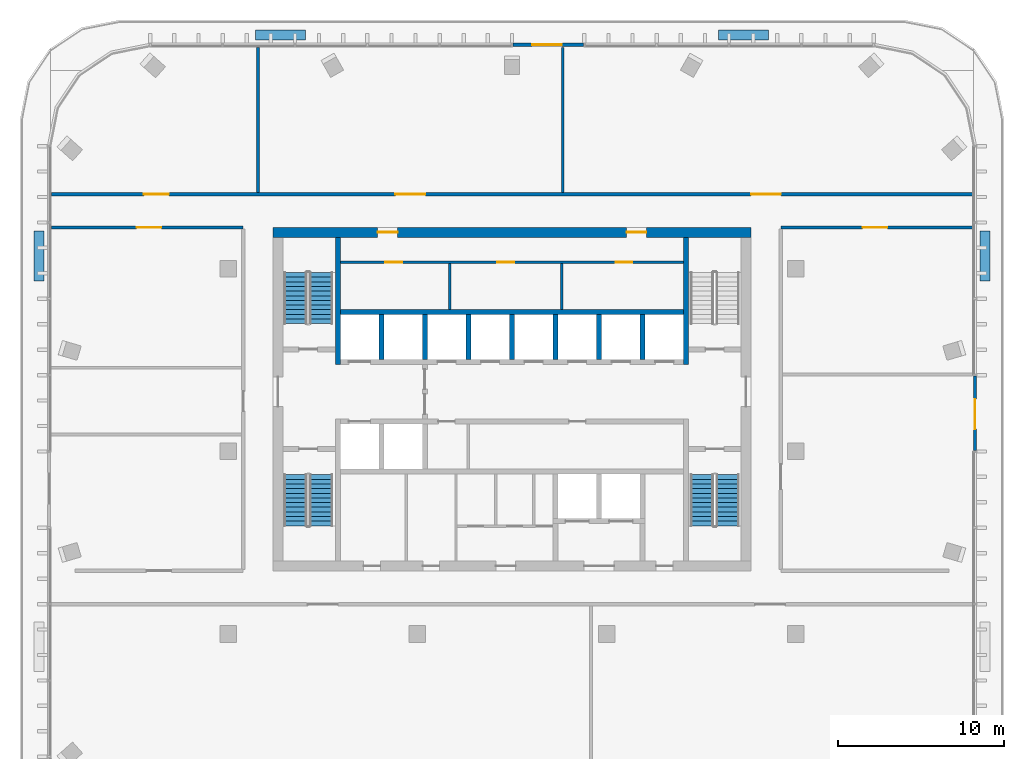
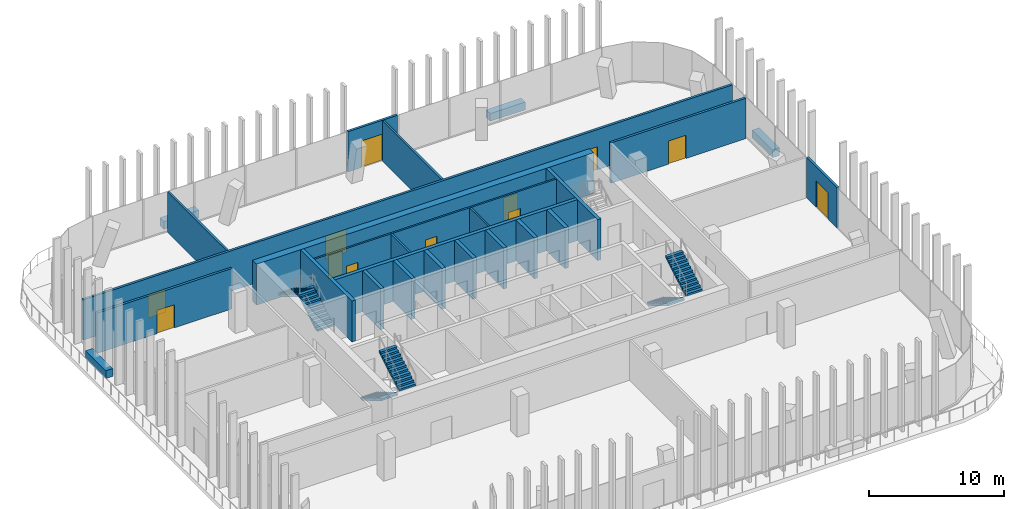
# One storey, part 9 of 16: 25 walls, 12 doors, 6 stair flights, 12 openings, 3 elements without a shape of their own.
"""IFC4 building model written with IfcOpenShell, lengths in metres."""

from ifc_helpers import new_model, si_unit, direction, frame, frame_2d, origin, place, context, subcontext, project, spatial, polyline, rectangle, outline, extrude, material, layer, layer_set, type_object, element, fill, aggregate, save


model = new_model("IFC4")

# Units and contexts
model_context = context("Model", 3, precision=1e-05, world=origin(), true_north=direction((0.0, 1.0)))
body_context = subcontext(model_context, "Body", "Model", "MODEL_VIEW")
ifc_project = project(units=[si_unit("LENGTHUNIT", "METRE"), si_unit("AREAUNIT", "SQUARE_METRE"), si_unit("VOLUMEUNIT", "CUBIC_METRE"), si_unit("PLANEANGLEUNIT", "RADIAN"), si_unit("MASSUNIT", "GRAM", prefix="KILO")], contexts=[model_context])

# Site, building, storey
site_placement = place(None, origin())
site = spatial("IfcSite", under=ifc_project, at=site_placement, CompositionType="ELEMENT")
building_placement = place(site_placement, origin())
building = spatial("IfcBuilding", under=site, at=building_placement, Name="Mopane Tessera Tower", CompositionType="ELEMENT")
storey_placement = place(building_placement, frame((0.0, 0.0, 321.39990234375)))
storey = spatial("IfcBuildingStorey", under=building, at=storey_placement, Name="L70", CompositionType="ELEMENT", Elevation=321.39990234375)

# Walls
ifc_material_1 = material(Name="Fire-rated gypsum board partition")
ifc_layer_1 = layer(ifc_material_1, 0.14990234375)
ifc_layer_set_1 = layer_set([ifc_layer_1], Name="Fire-rated gypsum board partition")
wall_type_1 = type_object("IfcWallType", Name="Core room partition 150 mm", PredefinedType="PARTITIONING", material=ifc_layer_set_1)
for number, where, z_axis, x_axis, name in (
    (1, (-3.75, 8.550048828125, 0.0), (0.0, 0.0, 1.0), (0.0, 1.0, 0.0), "L70 Room partition"),
    (2, (3.0, 8.550048828125, 0.0), (0.0, 0.0, 1.0), (0.0, 1.0, 0.0), "L70 Room partition"),
):
    element("IfcWall", number, at=place(storey_placement, frame(where, z_axis=z_axis, x_axis=x_axis)), inside=storey, type_object=wall_type_1, Name=name, PredefinedType="PARTITIONING", context=body_context, shape_type="SweptSolid", body=[
        extrude(rectangle(XDim=2.77490234375, YDim=0.14990234375, at=frame_2d((1.387451171875, 0.0))), origin(), (0.0, 0.0, 1.0), 3.7001953125),
    ])

# Wall, openings, doors
wall_1_placement = place(storey_placement, frame((-10.35009765625, 11.39990234375, 0.0), z_axis=(0.0, 0.0, 1.0), x_axis=(1.0, 0.0, 0.0)))
wall_1 = element("IfcWall", 3, at=wall_1_placement, inside=storey, type_object=wall_type_1, Name="L70 Corridor wall", PredefinedType="PARTITIONING", context=body_context, shape_type="SweptSolid", body=[
    extrude(rectangle(XDim=20.7001953125, YDim=0.14990234375, at=frame_2d((10.35009765625, 0.0))), origin(), (0.0, 0.0, 1.0), 3.7001953125),
])
opening_1_placement = place(wall_1_placement, frame((2.72509765625, 0.0, 0.0)))
opening_1 = element("IfcOpeningElement", 4, at=opening_1_placement, cuts=wall_1, Name="Opening RD1", PredefinedType="OPENING", context=body_context, shape_type="SweptSolid", body=[
    extrude(rectangle(XDim=1.0, YDim=2.10009765625, at=frame_2d((0.5, 1.050048828125))), frame((0.0, 0.0869140625, 0.0), z_axis=(0.0, -1.0, 0.0), x_axis=(1.0, 0.0, 0.0)), (0.0, 0.0, 1.0), 0.173828125),
])
opening_2_placement = place(wall_1_placement, frame((9.47509765625, 0.0, 0.0)))
opening_2 = element("IfcOpeningElement", 5, at=opening_2_placement, cuts=wall_1, Name="Opening RD1", PredefinedType="OPENING", context=body_context, shape_type="SweptSolid", body=[
    extrude(rectangle(XDim=1.0, YDim=2.10009765625, at=frame_2d((0.5, 1.050048828125))), frame((0.0, 0.0869140625, 0.0), z_axis=(0.0, -1.0, 0.0), x_axis=(1.0, 0.0, 0.0)), (0.0, 0.0, 1.0), 0.173828125),
])
opening_3_placement = place(wall_1_placement, frame((16.60009765625, 0.0, 0.0)))
opening_3 = element("IfcOpeningElement", 6, at=opening_3_placement, cuts=wall_1, Name="Opening RD1", PredefinedType="OPENING", context=body_context, shape_type="SweptSolid", body=[
    extrude(rectangle(XDim=1.0, YDim=2.10009765625, at=frame_2d((0.5, 1.050048828125))), frame((0.0, 0.0869140625, 0.0), z_axis=(0.0, -1.0, 0.0), x_axis=(1.0, 0.0, 0.0)), (0.0, 0.0, 1.0), 0.173828125),
])
ifc_material_2 = material(Name="Timber door", Category="wood")
door_type_1 = type_object("IfcDoorType", Name="Core room door 1000 x 2100", OperationType="SINGLE_SWING_LEFT", PredefinedType="DOOR", material=ifc_material_2)
door_1_placement = place(opening_1_placement, origin())
door_1 = element("IfcDoor", 7, at=door_1_placement, inside=storey, type_object=door_type_1, Name="L70 Room door", OperationType="SINGLE_SWING_LEFT", OverallHeight=2.10009765625, OverallWidth=1.0, PredefinedType="DOOR", context=body_context, shape_type="SweptSolid", body=[
    extrude(rectangle(XDim=1.0, YDim=2.10009765625, at=frame_2d((0.5, 1.050048828125))), frame((0.0, 0.02490234375, 0.0), z_axis=(0.0, -1.0, 0.0), x_axis=(1.0, 0.0, 0.0)), (0.0, 0.0, 1.0), 0.050048828125),
])
fill(opening_1, door_1)
door_2_placement = place(opening_2_placement, origin())
door_2 = element("IfcDoor", 8, at=door_2_placement, inside=storey, type_object=door_type_1, Name="L70 Room door", OperationType="SINGLE_SWING_LEFT", OverallHeight=2.10009765625, OverallWidth=1.0, PredefinedType="DOOR", context=body_context, shape_type="SweptSolid", body=[
    extrude(rectangle(XDim=1.0, YDim=2.10009765625, at=frame_2d((0.5, 1.050048828125))), frame((0.0, 0.02490234375, 0.0), z_axis=(0.0, -1.0, 0.0), x_axis=(1.0, 0.0, 0.0)), (0.0, 0.0, 1.0), 0.050048828125),
])
fill(opening_2, door_2)
door_3_placement = place(opening_3_placement, origin())
door_3 = element("IfcDoor", 9, at=door_3_placement, inside=storey, type_object=door_type_1, Name="L70 Room door", OperationType="SINGLE_SWING_LEFT", OverallHeight=2.10009765625, OverallWidth=1.0, PredefinedType="DOOR", context=body_context, shape_type="SweptSolid", body=[
    extrude(rectangle(XDim=1.0, YDim=2.10009765625, at=frame_2d((0.5, 1.050048828125))), frame((0.0, 0.02490234375, 0.0), z_axis=(0.0, -1.0, 0.0), x_axis=(1.0, 0.0, 0.0)), (0.0, 0.0, 1.0), 0.050048828125),
])
fill(opening_3, door_3)

ifc_material_3 = material(Name="Concrete C70/85", Category="concrete")
ifc_layer_2 = layer(ifc_material_3, 0.60009765625)
ifc_layer_set_2 = layer_set([ifc_layer_2], Name="Concrete C70/85")
wall_type_2 = type_object("IfcWallType", Name="Core shear wall 600 mm", PredefinedType="SHEAR", material=ifc_layer_set_2)
wall_2_placement = place(storey_placement, frame((-14.39990234375, 13.199951171875, 0.0), z_axis=(0.0, 0.0, 1.0), x_axis=(1.0, 0.0, 0.0)))
wall_2 = element("IfcWall", 10, at=wall_2_placement, inside=storey, type_object=wall_type_2, Name="L70 Core wall north", PredefinedType="SHEAR", context=body_context, shape_type="SweptSolid", body=[
    extrude(rectangle(XDim=28.7998046875, YDim=0.60009765625, at=frame_2d((14.39990234375, 0.0))), origin(), (0.0, 0.0, 1.0), 3.7001953125),
])
opening_4_placement = place(wall_2_placement, frame((6.300048828125, 0.0, 0.0)))
opening_4 = element("IfcOpeningElement", 11, at=opening_4_placement, cuts=wall_2, Name="Opening RD2", PredefinedType="OPENING", context=body_context, shape_type="SweptSolid", body=[
    extrude(rectangle(XDim=1.199951171875, YDim=2.10009765625, at=frame_2d((0.60009765625, 1.050048828125))), frame((0.0, 0.31201171875, 0.0), z_axis=(0.0, -1.0, 0.0), x_axis=(1.0, 0.0, 0.0)), (0.0, 0.0, 1.0), 0.6240234375),
])
opening_5_placement = place(wall_2_placement, frame((21.300048828125, 0.0, 0.0)))
opening_5 = element("IfcOpeningElement", 12, at=opening_5_placement, cuts=wall_2, Name="Opening RD2", PredefinedType="OPENING", context=body_context, shape_type="SweptSolid", body=[
    extrude(rectangle(XDim=1.199951171875, YDim=2.10009765625, at=frame_2d((0.60009765625, 1.050048828125))), frame((0.0, 0.31201171875, 0.0), z_axis=(0.0, -1.0, 0.0), x_axis=(1.0, 0.0, 0.0)), (0.0, 0.0, 1.0), 0.6240234375),
])
ifc_material_4 = material(Name="Timber door", Category="wood")
door_type_2 = type_object("IfcDoorType", Name="Core corridor door 1200 x 2100", OperationType="SINGLE_SWING_LEFT", PredefinedType="DOOR", material=ifc_material_4)
door_4_placement = place(opening_4_placement, origin())
door_4 = element("IfcDoor", 13, at=door_4_placement, inside=storey, type_object=door_type_2, Name="L70 Corridor door", OperationType="SINGLE_SWING_LEFT", OverallHeight=2.10009765625, OverallWidth=1.199951171875, PredefinedType="DOOR", context=body_context, shape_type="SweptSolid", body=[
    extrude(rectangle(XDim=1.199951171875, YDim=2.10009765625, at=frame_2d((0.60009765625, 1.050048828125))), frame((0.0, 0.02490234375, 0.0), z_axis=(0.0, -1.0, 0.0), x_axis=(1.0, 0.0, 0.0)), (0.0, 0.0, 1.0), 0.050048828125),
])
fill(opening_4, door_4)
door_5_placement = place(opening_5_placement, origin())
door_5 = element("IfcDoor", 14, at=door_5_placement, inside=storey, type_object=door_type_2, Name="L70 Corridor door", OperationType="SINGLE_SWING_RIGHT", OverallHeight=2.10009765625, OverallWidth=1.199951171875, PredefinedType="DOOR", context=body_context, shape_type="SweptSolid", body=[
    extrude(rectangle(XDim=1.199951171875, YDim=2.10009765625, at=frame_2d((0.60009765625, 1.050048828125))), frame((0.0, 0.02490234375, 0.0), z_axis=(0.0, -1.0, 0.0), x_axis=(1.0, 0.0, 0.0)), (0.0, 0.0, 1.0), 0.050048828125),
])
fill(opening_5, door_5)

# Walls
ifc_material_5 = material(Name="Concrete C60/75", Category="concrete")
ifc_layer_3 = layer(ifc_material_5, 0.300048828125)
ifc_layer_set_3 = layer_set([ifc_layer_3], Name="Concrete C60/75")
wall_type_3 = type_object("IfcWallType", Name="Core spine wall 300 mm", PredefinedType="SHEAR", material=ifc_layer_set_3)
for number, where, z_axis, x_axis, name in (
    (15, (-10.5, 5.25, 0.0), (0.0, 0.0, 1.0), (0.0, 1.0, 0.0), "L70 Core spine wall"),
    (16, (10.5, 5.25, 0.0), (0.0, 0.0, 1.0), (0.0, 1.0, 0.0), "L70 Core spine wall"),
):
    element("IfcWall", number, at=place(storey_placement, frame(where, z_axis=z_axis, x_axis=x_axis)), inside=storey, type_object=wall_type_3, Name=name, PredefinedType="SHEAR", context=body_context, shape_type="SweptSolid", body=[
        extrude(rectangle(XDim=7.64990234375, YDim=0.300048828125, at=frame_2d((3.824951171875, 0.0))), origin(), (0.0, 0.0, 1.0), 3.7001953125),
    ])
ifc_material_6 = material(Name="Gypsum board on staggered steel studs, double layer each face, acoustic mineral wool infill", Category="steel")
ifc_layer_4 = layer(ifc_material_6, 0.175048828125)
ifc_layer_set_4 = layer_set([ifc_layer_4], Name="Gypsum board on staggered steel studs, double layer each face, acoustic mineral wool infill")
wall_type_4 = type_object("IfcWallType", Name="Gypsum board acoustic partition 175, rated EI 60", PredefinedType="PARTITIONING", material=ifc_layer_set_4)
for number, where, z_axis, x_axis, name in (
    (17, (-15.304931640625, 15.60009765625, 0.0), (0.0, 0.0, 1.0), (0.0, 1.0, 0.0), "Partition L70:010"),
    (18, (3.06005859375, 15.60009765625, 0.0), (0.0, 0.0, 1.0), (0.0, 1.0, 0.0), "Partition L70:011"),
):
    element("IfcWall", number, at=place(storey_placement, frame(where, z_axis=z_axis, x_axis=x_axis)), inside=storey, type_object=wall_type_4, Name=name, PredefinedType="PARTITIONING", context=body_context, shape_type="SweptSolid", body=[
        extrude(rectangle(XDim=8.75, YDim=0.175048828125, at=frame_2d((4.375, 0.0))), origin(), (0.0, 0.0, 1.0), 3.650146484375),
    ])

# Wall, opening, door
ifc_material_7 = material(Name="Gypsum board on steel studs, two layers each face, mineral wool infill", Category="steel")
ifc_layer_5 = layer(ifc_material_7, 0.199951171875)
ifc_layer_set_5 = layer_set([ifc_layer_5], Name="Gypsum board on steel studs, two layers each face, mineral wool infill")
wall_type_5 = type_object("IfcWallType", Name="Gypsum board corridor wall 200, rated EI 60", PredefinedType="PARTITIONING", material=ifc_layer_set_5)
wall_3_placement = place(storey_placement, frame((-27.75, 13.5, 0.0), z_axis=(0.0, 0.0, 1.0), x_axis=(1.0, 0.0, 0.0)))
wall_3 = element("IfcWall", 19, at=wall_3_placement, inside=storey, type_object=wall_type_5, Name="Partition L70:006", PredefinedType="PARTITIONING", context=body_context, shape_type="SweptSolid", body=[
    extrude(rectangle(XDim=11.550048828125, YDim=0.199951171875, at=frame_2d((5.77490234375, 0.0))), origin(), (0.0, 0.0, 1.0), 3.650146484375),
])
opening_6_placement = place(wall_3_placement, frame((5.125, 0.0, 0.0)))
opening_6 = element("IfcOpeningElement", 20, at=opening_6_placement, cuts=wall_3, Name="Opening L70-02", PredefinedType="OPENING", context=body_context, shape_type="SweptSolid", body=[
    extrude(rectangle(XDim=1.5, YDim=2.10009765625, at=frame_2d((0.75, 1.050048828125))), frame((0.0, 0.112060546875, 0.0), z_axis=(0.0, -1.0, 0.0), x_axis=(1.0, 0.0, 0.0)), (0.0, 0.0, 1.0), 0.223876953125),
])
ifc_material_8 = material(Name="Timber veneered steel-framed fire door", Category="steel")
door_type_3 = type_object("IfcDoorType", Name="Fire door pair FD60 1500 x 2100", OperationType="DOUBLE_DOOR_SINGLE_SWING", PredefinedType="DOOR", material=ifc_material_8)
door_6_placement = place(opening_6_placement, origin())
door_6 = element("IfcDoor", 21, at=door_6_placement, inside=storey, type_object=door_type_3, Name="Door L70-02", ObjectType="D17A", OperationType="DOUBLE_DOOR_SINGLE_SWING", OverallHeight=2.10009765625, OverallWidth=1.5, PredefinedType="DOOR", context=body_context, shape_type="SweptSolid", body=[
    extrude(rectangle(XDim=1.5, YDim=2.10009765625, at=frame_2d((0.75, 1.050048828125))), frame((0.0, 0.02490234375, 0.0), z_axis=(0.0, -1.0, 0.0), x_axis=(1.0, 0.0, 0.0)), (0.0, 0.0, 1.0), 0.050048828125),
])
fill(opening_6, door_6)

wall_4_placement = place(storey_placement, frame((16.199951171875, 13.5, 0.0), z_axis=(0.0, 0.0, 1.0), x_axis=(1.0, 0.0, 0.0)))
wall_4 = element("IfcWall", 22, at=wall_4_placement, inside=storey, type_object=wall_type_5, Name="Partition L70:007", PredefinedType="PARTITIONING", context=body_context, shape_type="SweptSolid", body=[
    extrude(rectangle(XDim=11.550048828125, YDim=0.199951171875, at=frame_2d((5.77490234375, 0.0))), origin(), (0.0, 0.0, 1.0), 3.650146484375),
])
opening_7_placement = place(wall_4_placement, frame((4.925048828125, 0.0, 0.0)))
opening_7 = element("IfcOpeningElement", 23, at=opening_7_placement, cuts=wall_4, Name="Opening L70-10", PredefinedType="OPENING", context=body_context, shape_type="SweptSolid", body=[
    extrude(rectangle(XDim=1.5, YDim=2.10009765625, at=frame_2d((0.75, 1.050048828125))), frame((0.0, 0.112060546875, 0.0), z_axis=(0.0, -1.0, 0.0), x_axis=(1.0, 0.0, 0.0)), (0.0, 0.0, 1.0), 0.223876953125),
])
door_7_placement = place(opening_7_placement, origin())
door_7 = element("IfcDoor", 24, at=door_7_placement, inside=storey, type_object=door_type_3, Name="Door L70-10", ObjectType="D17A", OperationType="DOUBLE_DOOR_SINGLE_SWING", OverallHeight=2.10009765625, OverallWidth=1.5, PredefinedType="DOOR", context=body_context, shape_type="SweptSolid", body=[
    extrude(rectangle(XDim=1.5, YDim=2.10009765625, at=frame_2d((0.75, 1.050048828125))), frame((0.0, 0.02490234375, 0.0), z_axis=(0.0, -1.0, 0.0), x_axis=(1.0, 0.0, 0.0)), (0.0, 0.0, 1.0), 0.050048828125),
])
fill(opening_7, door_7)

# Wall, openings, doors
wall_5_placement = place(storey_placement, frame((-27.75, 15.5, 0.0), z_axis=(0.0, 0.0, 1.0), x_axis=(1.0, 0.0, 0.0)))
wall_5 = element("IfcWall", 25, at=wall_5_placement, inside=storey, type_object=wall_type_5, Name="Partition L70:008", PredefinedType="PARTITIONING", context=body_context, shape_type="SweptSolid", body=[
    extrude(rectangle(XDim=55.5, YDim=0.199951171875, at=frame_2d((27.75, 0.0))), origin(), (0.0, 0.0, 1.0), 3.650146484375),
])
opening_8_placement = place(wall_5_placement, frame((42.155029296875, 0.0, 0.0)))
opening_8 = element("IfcOpeningElement", 26, at=opening_8_placement, cuts=wall_5, Name="Opening L70-01", PredefinedType="OPENING", context=body_context, shape_type="SweptSolid", body=[
    extrude(rectangle(XDim=1.800048828125, YDim=2.10009765625, at=frame_2d((0.89990234375, 1.050048828125))), frame((0.0, 0.112060546875, 0.0), z_axis=(0.0, -1.0, 0.0), x_axis=(1.0, 0.0, 0.0)), (0.0, 0.0, 1.0), 0.223876953125),
])
opening_9_placement = place(wall_5_placement, frame((5.572509765625, 0.0, 0.0)))
opening_9 = element("IfcOpeningElement", 27, at=opening_9_placement, cuts=wall_5, Name="Opening L70-04", PredefinedType="OPENING", context=body_context, shape_type="SweptSolid", body=[
    extrude(rectangle(XDim=1.5, YDim=2.10009765625, at=frame_2d((0.75, 1.050048828125))), frame((0.0, 0.112060546875, 0.0), z_axis=(0.0, -1.0, 0.0), x_axis=(1.0, 0.0, 0.0)), (0.0, 0.0, 1.0), 0.223876953125),
])
opening_10_placement = place(wall_5_placement, frame((20.7275390625, 0.0, 0.0)))
opening_10 = element("IfcOpeningElement", 28, at=opening_10_placement, cuts=wall_5, Name="Opening L70-09", PredefinedType="OPENING", context=body_context, shape_type="SweptSolid", body=[
    extrude(rectangle(XDim=1.800048828125, YDim=2.10009765625, at=frame_2d((0.89990234375, 1.050048828125))), frame((0.0, 0.112060546875, 0.0), z_axis=(0.0, -1.0, 0.0), x_axis=(1.0, 0.0, 0.0)), (0.0, 0.0, 1.0), 0.223876953125),
])
door_8_placement = place(opening_9_placement, origin())
door_8 = element("IfcDoor", 29, at=door_8_placement, inside=storey, type_object=door_type_3, Name="Door L70-04", ObjectType="D17A", OperationType="DOUBLE_DOOR_SINGLE_SWING", OverallHeight=2.10009765625, OverallWidth=1.5, PredefinedType="DOOR", context=body_context, shape_type="SweptSolid", body=[
    extrude(rectangle(XDim=1.5, YDim=2.10009765625, at=frame_2d((0.75, 1.050048828125))), frame((0.0, 0.02490234375, 0.0), z_axis=(0.0, -1.0, 0.0), x_axis=(1.0, 0.0, 0.0)), (0.0, 0.0, 1.0), 0.050048828125),
])
fill(opening_9, door_8)
ifc_material_9 = material(Name="Timber veneered steel-framed fire door", Category="steel")
door_type_4 = type_object("IfcDoorType", Name="Fire door pair FD60 1800 x 2100", OperationType="DOUBLE_DOOR_SINGLE_SWING", PredefinedType="DOOR", material=ifc_material_9)
door_9_placement = place(opening_8_placement, origin())
door_9 = element("IfcDoor", 30, at=door_9_placement, inside=storey, type_object=door_type_4, Name="Door L70-01", ObjectType="D20A", OperationType="DOUBLE_DOOR_SINGLE_SWING", OverallHeight=2.10009765625, OverallWidth=1.800048828125, PredefinedType="DOOR", context=body_context, shape_type="SweptSolid", body=[
    extrude(rectangle(XDim=1.800048828125, YDim=2.10009765625, at=frame_2d((0.89990234375, 1.050048828125))), frame((0.0, 0.02490234375, 0.0), z_axis=(0.0, -1.0, 0.0), x_axis=(1.0, 0.0, 0.0)), (0.0, 0.0, 1.0), 0.050048828125),
])
fill(opening_8, door_9)
door_10_placement = place(opening_10_placement, origin())
door_10 = element("IfcDoor", 31, at=door_10_placement, inside=storey, type_object=door_type_4, Name="Door L70-09", ObjectType="D20A", OperationType="DOUBLE_DOOR_SINGLE_SWING", OverallHeight=2.10009765625, OverallWidth=1.800048828125, PredefinedType="DOOR", context=body_context, shape_type="SweptSolid", body=[
    extrude(rectangle(XDim=1.800048828125, YDim=2.10009765625, at=frame_2d((0.89990234375, 1.050048828125))), frame((0.0, 0.02490234375, 0.0), z_axis=(0.0, -1.0, 0.0), x_axis=(1.0, 0.0, 0.0)), (0.0, 0.0, 1.0), 0.050048828125),
])
fill(opening_10, door_10)

# Walls
ifc_material_10 = material(Name="Concrete C50/60", Category="concrete")
ifc_layer_6 = layer(ifc_material_10, 0.300048828125)
ifc_layer_set_6 = layer_set([ifc_layer_6], Name="Concrete C50/60")
wall_type_6 = type_object("IfcWallType", Name="Lift and stair shaft wall 300 mm", PredefinedType="SOLIDWALL", material=ifc_layer_set_6)
wall_6_placement = place(storey_placement, frame((-10.35009765625, 8.39990234375, 0.0), z_axis=(0.0, 0.0, 1.0), x_axis=(1.0, 0.0, 0.0)))
element("IfcWall", 32, at=wall_6_placement, inside=storey, type_object=wall_type_6, Name="L70 Lift shaft rear wall", PredefinedType="SOLIDWALL", context=body_context, shape_type="SweptSolid", body=[
    extrude(rectangle(XDim=20.7001953125, YDim=0.300048828125, at=frame_2d((10.35009765625, 0.0))), origin(), (0.0, 0.0, 1.0), 3.7001953125),
])
for number, where, z_axis, x_axis, name in (
    (33, (-7.875, 5.550048828125, 0.0), (0.0, 0.0, 1.0), (0.0, 1.0, 0.0), "L70 Lift shaft wall"),
    (34, (-5.25, 5.550048828125, 0.0), (0.0, 0.0, 1.0), (0.0, 1.0, 0.0), "L70 Lift shaft wall"),
    (35, (-2.625, 5.550048828125, 0.0), (0.0, 0.0, 1.0), (0.0, 1.0, 0.0), "L70 Lift shaft wall"),
    (36, (0.0, 5.550048828125, 0.0), (0.0, 0.0, 1.0), (0.0, 1.0, 0.0), "L70 Lift shaft wall"),
    (37, (2.625, 5.550048828125, 0.0), (0.0, 0.0, 1.0), (0.0, 1.0, 0.0), "L70 Lift shaft wall"),
    (38, (5.25, 5.550048828125, 0.0), (0.0, 0.0, 1.0), (0.0, 1.0, 0.0), "L70 Lift shaft wall"),
    (39, (7.875, 5.550048828125, 0.0), (0.0, 0.0, 1.0), (0.0, 1.0, 0.0), "L70 Lift shaft wall"),
):
    element("IfcWall", number, at=place(storey_placement, frame(where, z_axis=z_axis, x_axis=x_axis)), inside=storey, type_object=wall_type_6, Name=name, PredefinedType="SOLIDWALL", context=body_context, shape_type="SweptSolid", body=[
        extrude(rectangle(XDim=2.699951171875, YDim=0.300048828125, at=frame_2d((1.35009765625, 0.0))), origin(), (0.0, 0.0, 1.0), 3.7001953125),
    ])
ifc_material_11 = material(Name="Reinforced concrete C32/40 with waterproofing", Category="concrete")
ifc_layer_7 = layer(ifc_material_11, 0.60009765625)
ifc_layer_set_7 = layer_set([ifc_layer_7], Name="Reinforced concrete C32/40 with waterproofing")
wall_type_7 = type_object("IfcWallType", Name="Planter trough 3000 x 600", PredefinedType="STANDARD", material=ifc_layer_set_7)
for number, where, z_axis, x_axis, name in (
    (40, (28.5, 10.27587890625, 0.0), (0.0, 0.0, 1.0), (0.0, 1.0, 0.0), "e:sp:L70:E1"),
    (41, (15.451904296875, 25.10009765625, 0.0), (0.0, 0.0, 1.0), (-1.0, 0.0, 0.0), "e:sp:L70:N0"),
    (42, (-12.451904296875, 25.10009765625, 0.0), (0.0, 0.0, 1.0), (-1.0, 0.0, 0.0), "e:sp:L70:N1"),
    (43, (-28.5, 13.27587890625, 0.0), (0.0, 0.0, 1.0), (0.0, -1.0, 0.0), "e:sp:L70:W0"),
):
    element("IfcWall", number, at=place(storey_placement, frame(where, z_axis=z_axis, x_axis=x_axis)), inside=storey, type_object=wall_type_7, Name=name, PredefinedType="STANDARD", context=body_context, shape_type="SweptSolid", body=[
        extrude(rectangle(XDim=3.0, YDim=0.60009765625, at=frame_2d((1.5, 0.0))), origin(), (0.0, 0.0, 1.0), 0.7001953125),
    ])

# Wall, opening, door
ifc_material_12 = material(Name="Blockwork with glazed tile facing", Category="masonry")
ifc_layer_8 = layer(ifc_material_12, 0.199951171875)
ifc_layer_set_8 = layer_set([ifc_layer_8], Name="Blockwork with glazed tile facing")
wall_type_8 = type_object("IfcWallType", Name="Tile-clad portal wall 200", PredefinedType="STANDARD", material=ifc_layer_set_8)
wall_7_placement = place(storey_placement, frame((27.89990234375, 0.050048828125, 0.0), z_axis=(0.0, 0.0, 1.0), x_axis=(0.0, 1.0, 0.0)))
wall_7 = element("IfcWall", 44, at=wall_7_placement, inside=storey, type_object=wall_type_8, Name="e:pw:L70:E", PredefinedType="STANDARD", context=body_context, shape_type="SweptSolid", body=[
    extrude(rectangle(XDim=4.5, YDim=0.199951171875, at=frame_2d((2.25, 0.0))), origin(), (0.0, 0.0, 1.0), 3.650146484375),
])
opening_11_placement = place(wall_7_placement, frame((1.300048828125, 0.0, 0.0)))
opening_11 = element("IfcOpeningElement", 45, at=opening_11_placement, cuts=wall_7, Name="Opening TD70E", PredefinedType="OPENING", context=body_context, shape_type="SweptSolid", body=[
    extrude(rectangle(XDim=1.800048828125, YDim=2.39990234375, at=frame_2d((0.89990234375, 1.199951171875))), frame((0.0, 0.112060546875, 0.0), z_axis=(0.0, -1.0, 0.0), x_axis=(1.0, 0.0, 0.0)), (0.0, 0.0, 1.0), 0.223876953125),
])
ifc_material_13 = material(Name="Aluminium and clear glass", Category="aluminium")
door_type_5 = type_object("IfcDoorType", Name="Terrace double door 1800 x 2400", OperationType="DOUBLE_DOOR_SINGLE_SWING", PredefinedType="DOOR", material=ifc_material_13)
door_11_placement = place(opening_11_placement, origin())
door_11 = element("IfcDoor", 46, at=door_11_placement, inside=storey, type_object=door_type_5, Name="e:pw:L70:E:door", ObjectType="D1", OperationType="DOUBLE_DOOR_SINGLE_SWING", OverallHeight=2.39990234375, OverallWidth=1.800048828125, PredefinedType="DOOR", context=body_context, shape_type="SweptSolid", body=[
    extrude(rectangle(XDim=1.800048828125, YDim=2.39990234375, at=frame_2d((0.89990234375, 1.199951171875))), frame((0.0, 0.02490234375, 0.0), z_axis=(0.0, -1.0, 0.0), x_axis=(1.0, 0.0, 0.0)), (0.0, 0.0, 1.0), 0.050048828125),
])
fill(opening_11, door_11)

wall_8_placement = place(storey_placement, frame((4.31005859375, 24.5, 0.0), z_axis=(0.0, 0.0, 1.0), x_axis=(-1.0, 0.0, 0.0)))
wall_8 = element("IfcWall", 47, at=wall_8_placement, inside=storey, type_object=wall_type_8, Name="e:pw:L70:N", PredefinedType="STANDARD", context=body_context, shape_type="SweptSolid", body=[
    extrude(rectangle(XDim=4.260009765625, YDim=0.199951171875, at=frame_2d((2.1298828125, 0.0))), origin(), (0.0, 0.0, 1.0), 3.650146484375),
])
opening_12_placement = place(wall_8_placement, frame((1.300048828125, 0.0, 0.0)))
opening_12 = element("IfcOpeningElement", 48, at=opening_12_placement, cuts=wall_8, Name="Opening TD70N", PredefinedType="OPENING", context=body_context, shape_type="SweptSolid", body=[
    extrude(rectangle(XDim=1.800048828125, YDim=2.39990234375, at=frame_2d((0.89990234375, 1.199951171875))), frame((0.0, 0.112060546875, 0.0), z_axis=(0.0, -1.0, 0.0), x_axis=(1.0, 0.0, 0.0)), (0.0, 0.0, 1.0), 0.223876953125),
])
door_12_placement = place(opening_12_placement, origin())
door_12 = element("IfcDoor", 49, at=door_12_placement, inside=storey, type_object=door_type_5, Name="e:pw:L70:N:door", ObjectType="D1", OperationType="DOUBLE_DOOR_SINGLE_SWING", OverallHeight=2.39990234375, OverallWidth=1.800048828125, PredefinedType="DOOR", context=body_context, shape_type="SweptSolid", body=[
    extrude(rectangle(XDim=1.800048828125, YDim=2.39990234375, at=frame_2d((0.89990234375, 1.199951171875))), frame((0.0, 0.02490234375, 0.0), z_axis=(0.0, -1.0, 0.0), x_axis=(1.0, 0.0, 0.0)), (0.0, 0.0, 1.0), 0.050048828125),
])
fill(opening_12, door_12)

# Stair, stair flights
ifc_material_14 = material(Name="Concrete C50/60", Category="concrete")
stair_type = type_object("IfcStairType", Name="Escape stair 1400 mm, riser 167 mm", PredefinedType="HALF_TURN_STAIR", material=ifc_material_14)
stair_1_placement = place(storey_placement, origin())
stair_1 = element("IfcStair", 50, at=stair_1_placement, inside=storey, type_object=stair_type, Name="L70 Escape stair south-west", PredefinedType="HALF_TURN_STAIR")
ifc_material_15 = material(Name="Concrete C50/60", Category="concrete")
stair_flight_type = type_object("IfcStairFlightType", Name="Escape stair flight 1400 mm", PredefinedType="STRAIGHT", material=ifc_material_15)
stair_flight_1_placement = place(storey_placement, frame((-13.050048828125, -1.39990234375, 0.0), z_axis=(0.0, 0.0, 1.0), x_axis=(0.0, -1.0, 0.0)))
stair_flight_1 = element("IfcStairFlight", 51, at=stair_flight_1_placement, type_object=stair_flight_type, Name="ST1 flight 1", NumberOfRisers=12, NumberOfTreads=11, PredefinedType="STRAIGHT", RiserHeight=0.166666667, TreadLength=0.28, context=body_context, shape_type="SweptSolid", body=[
    extrude(outline(polyline([(0.0, 0.0), (0.0, 0.166748046875), (0.280029296875, 0.166748046875), (0.280029296875, 0.333251953125), (0.56005859375, 0.333251953125), (0.56005859375, 0.5), (0.840087890625, 0.5), (0.840087890625, 0.666748046875), (1.1201171875, 0.666748046875), (1.1201171875, 0.833251953125), (1.39990234375, 0.833251953125), (1.39990234375, 1.0), (1.679931640625, 1.0), (1.679931640625, 1.166748046875), (1.9599609375, 1.166748046875), (1.9599609375, 1.333251953125), (2.239990234375, 1.333251953125), (2.239990234375, 1.5), (2.52001953125, 1.5), (2.52001953125, 1.666748046875), (2.800048828125, 1.666748046875), (2.800048828125, 1.833251953125), (3.080078125, 1.833251953125), (3.080078125, 2.0), (3.080078125, 1.658935546875), (0.29296875, 0.0), (0.0, 0.0)])), frame((0.0, 0.699951171875, 0.0), z_axis=(0.0, -1.0, 0.0), x_axis=(1.0, 0.0, 0.0)), (0.0, 0.0, 1.0), 1.39990234375),
])
stair_flight_2_placement = place(storey_placement, frame((-11.5, -4.47998046875, 2.0), z_axis=(0.0, 0.0, 1.0), x_axis=(0.0, 1.0, 0.0)))
stair_flight_2 = element("IfcStairFlight", 52, at=stair_flight_2_placement, type_object=stair_flight_type, Name="ST1 flight 2", NumberOfRisers=12, NumberOfTreads=11, PredefinedType="STRAIGHT", RiserHeight=0.166666667, TreadLength=0.28, context=body_context, shape_type="SweptSolid", body=[
    extrude(outline(polyline([(0.0, 0.0), (0.0, 0.166748046875), (0.280029296875, 0.166748046875), (0.280029296875, 0.333251953125), (0.56005859375, 0.333251953125), (0.56005859375, 0.5), (0.840087890625, 0.5), (0.840087890625, 0.666748046875), (1.1201171875, 0.666748046875), (1.1201171875, 0.833251953125), (1.39990234375, 0.833251953125), (1.39990234375, 1.0), (1.679931640625, 1.0), (1.679931640625, 1.166748046875), (1.9599609375, 1.166748046875), (1.9599609375, 1.333251953125), (2.239990234375, 1.333251953125), (2.239990234375, 1.5), (2.52001953125, 1.5), (2.52001953125, 1.666748046875), (2.800048828125, 1.666748046875), (2.800048828125, 1.833251953125), (3.080078125, 1.833251953125), (3.080078125, 2.0), (3.080078125, 1.658935546875), (0.29296875, 0.0), (0.0, 0.0)])), frame((0.0, 0.699951171875, 0.0), z_axis=(0.0, -1.0, 0.0), x_axis=(1.0, 0.0, 0.0)), (0.0, 0.0, 1.0), 1.39990234375),
])
aggregate(stair_1, [stair_flight_1, stair_flight_2])

stair_2_placement = place(storey_placement, origin())
stair_2 = element("IfcStair", 53, at=stair_2_placement, inside=storey, type_object=stair_type, Name="L70 Escape stair north-west", PredefinedType="HALF_TURN_STAIR")
stair_flight_3_placement = place(storey_placement, frame((-11.5, 7.699951171875, 0.0), z_axis=(0.0, 0.0, 1.0), x_axis=(0.0, 1.0, 0.0)))
stair_flight_3 = element("IfcStairFlight", 54, at=stair_flight_3_placement, type_object=stair_flight_type, Name="ST2 flight 1", NumberOfRisers=12, NumberOfTreads=11, PredefinedType="STRAIGHT", RiserHeight=0.166666667, TreadLength=0.28, context=body_context, shape_type="SweptSolid", body=[
    extrude(outline(polyline([(0.0, 0.0), (0.0, 0.166748046875), (0.280029296875, 0.166748046875), (0.280029296875, 0.333251953125), (0.56005859375, 0.333251953125), (0.56005859375, 0.5), (0.840087890625, 0.5), (0.840087890625, 0.666748046875), (1.1201171875, 0.666748046875), (1.1201171875, 0.833251953125), (1.39990234375, 0.833251953125), (1.39990234375, 1.0), (1.679931640625, 1.0), (1.679931640625, 1.166748046875), (1.9599609375, 1.166748046875), (1.9599609375, 1.333251953125), (2.239990234375, 1.333251953125), (2.239990234375, 1.5), (2.52001953125, 1.5), (2.52001953125, 1.666748046875), (2.800048828125, 1.666748046875), (2.800048828125, 1.833251953125), (3.080078125, 1.833251953125), (3.080078125, 2.0), (3.080078125, 1.658935546875), (0.29296875, 0.0), (0.0, 0.0)])), frame((0.0, 0.699951171875, 0.0), z_axis=(0.0, -1.0, 0.0), x_axis=(1.0, 0.0, 0.0)), (0.0, 0.0, 1.0), 1.39990234375),
])
stair_flight_4_placement = place(storey_placement, frame((-13.050048828125, 10.780029296875, 2.0), z_axis=(0.0, 0.0, 1.0), x_axis=(0.0, -1.0, 0.0)))
stair_flight_4 = element("IfcStairFlight", 55, at=stair_flight_4_placement, type_object=stair_flight_type, Name="ST2 flight 2", NumberOfRisers=12, NumberOfTreads=11, PredefinedType="STRAIGHT", RiserHeight=0.166666667, TreadLength=0.28, context=body_context, shape_type="SweptSolid", body=[
    extrude(outline(polyline([(0.0, 0.0), (0.0, 0.166748046875), (0.280029296875, 0.166748046875), (0.280029296875, 0.333251953125), (0.56005859375, 0.333251953125), (0.56005859375, 0.5), (0.840087890625, 0.5), (0.840087890625, 0.666748046875), (1.1201171875, 0.666748046875), (1.1201171875, 0.833251953125), (1.39990234375, 0.833251953125), (1.39990234375, 1.0), (1.679931640625, 1.0), (1.679931640625, 1.166748046875), (1.9599609375, 1.166748046875), (1.9599609375, 1.333251953125), (2.239990234375, 1.333251953125), (2.239990234375, 1.5), (2.52001953125, 1.5), (2.52001953125, 1.666748046875), (2.800048828125, 1.666748046875), (2.800048828125, 1.833251953125), (3.080078125, 1.833251953125), (3.080078125, 2.0), (3.080078125, 1.658935546875), (0.29296875, 0.0), (0.0, 0.0)])), frame((0.0, 0.699951171875, 0.0), z_axis=(0.0, -1.0, 0.0), x_axis=(1.0, 0.0, 0.0)), (0.0, 0.0, 1.0), 1.39990234375),
])
aggregate(stair_2, [stair_flight_3, stair_flight_4])

stair_3_placement = place(storey_placement, origin())
stair_3 = element("IfcStair", 56, at=stair_3_placement, inside=storey, type_object=stair_type, Name="L70 Escape stair south-east", PredefinedType="HALF_TURN_STAIR")
stair_flight_5_placement = place(storey_placement, frame((11.449951171875, -1.39990234375, 0.0), z_axis=(0.0, 0.0, 1.0), x_axis=(0.0, -1.0, 0.0)))
stair_flight_5 = element("IfcStairFlight", 57, at=stair_flight_5_placement, type_object=stair_flight_type, Name="ST3 flight 1", NumberOfRisers=12, NumberOfTreads=11, PredefinedType="STRAIGHT", RiserHeight=0.166666667, TreadLength=0.28, context=body_context, shape_type="SweptSolid", body=[
    extrude(outline(polyline([(0.0, 0.0), (0.0, 0.166748046875), (0.280029296875, 0.166748046875), (0.280029296875, 0.333251953125), (0.56005859375, 0.333251953125), (0.56005859375, 0.5), (0.840087890625, 0.5), (0.840087890625, 0.666748046875), (1.1201171875, 0.666748046875), (1.1201171875, 0.833251953125), (1.39990234375, 0.833251953125), (1.39990234375, 1.0), (1.679931640625, 1.0), (1.679931640625, 1.166748046875), (1.9599609375, 1.166748046875), (1.9599609375, 1.333251953125), (2.239990234375, 1.333251953125), (2.239990234375, 1.5), (2.52001953125, 1.5), (2.52001953125, 1.666748046875), (2.800048828125, 1.666748046875), (2.800048828125, 1.833251953125), (3.080078125, 1.833251953125), (3.080078125, 2.0), (3.080078125, 1.658935546875), (0.29296875, 0.0), (0.0, 0.0)])), frame((0.0, 0.699951171875, 0.0), z_axis=(0.0, -1.0, 0.0), x_axis=(1.0, 0.0, 0.0)), (0.0, 0.0, 1.0), 1.39990234375),
])
stair_flight_6_placement = place(storey_placement, frame((13.0, -4.47998046875, 2.0), z_axis=(0.0, 0.0, 1.0), x_axis=(0.0, 1.0, 0.0)))
stair_flight_6 = element("IfcStairFlight", 58, at=stair_flight_6_placement, type_object=stair_flight_type, Name="ST3 flight 2", NumberOfRisers=12, NumberOfTreads=11, PredefinedType="STRAIGHT", RiserHeight=0.166666667, TreadLength=0.28, context=body_context, shape_type="SweptSolid", body=[
    extrude(outline(polyline([(0.0, 0.0), (0.0, 0.166748046875), (0.280029296875, 0.166748046875), (0.280029296875, 0.333251953125), (0.56005859375, 0.333251953125), (0.56005859375, 0.5), (0.840087890625, 0.5), (0.840087890625, 0.666748046875), (1.1201171875, 0.666748046875), (1.1201171875, 0.833251953125), (1.39990234375, 0.833251953125), (1.39990234375, 1.0), (1.679931640625, 1.0), (1.679931640625, 1.166748046875), (1.9599609375, 1.166748046875), (1.9599609375, 1.333251953125), (2.239990234375, 1.333251953125), (2.239990234375, 1.5), (2.52001953125, 1.5), (2.52001953125, 1.666748046875), (2.800048828125, 1.666748046875), (2.800048828125, 1.833251953125), (3.080078125, 1.833251953125), (3.080078125, 2.0), (3.080078125, 1.658935546875), (0.29296875, 0.0), (0.0, 0.0)])), frame((0.0, 0.699951171875, 0.0), z_axis=(0.0, -1.0, 0.0), x_axis=(1.0, 0.0, 0.0)), (0.0, 0.0, 1.0), 1.39990234375),
])
aggregate(stair_3, [stair_flight_5, stair_flight_6])

save(model, "model.ifc")
